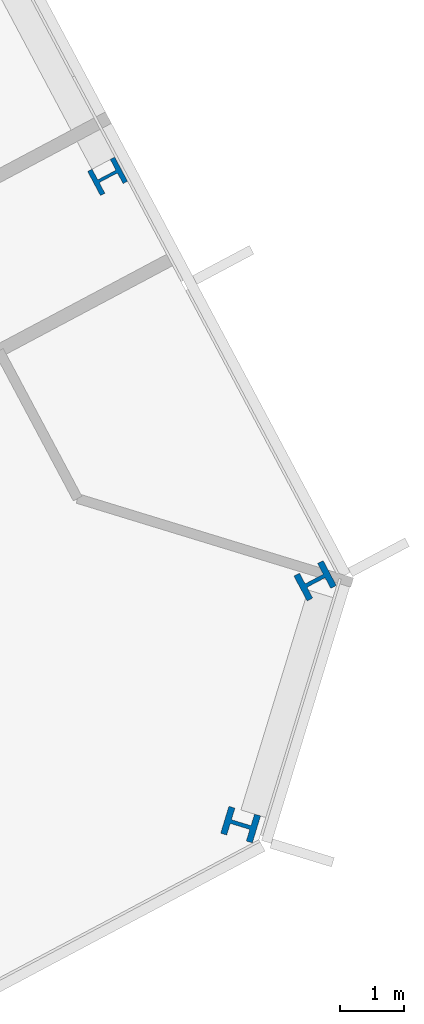
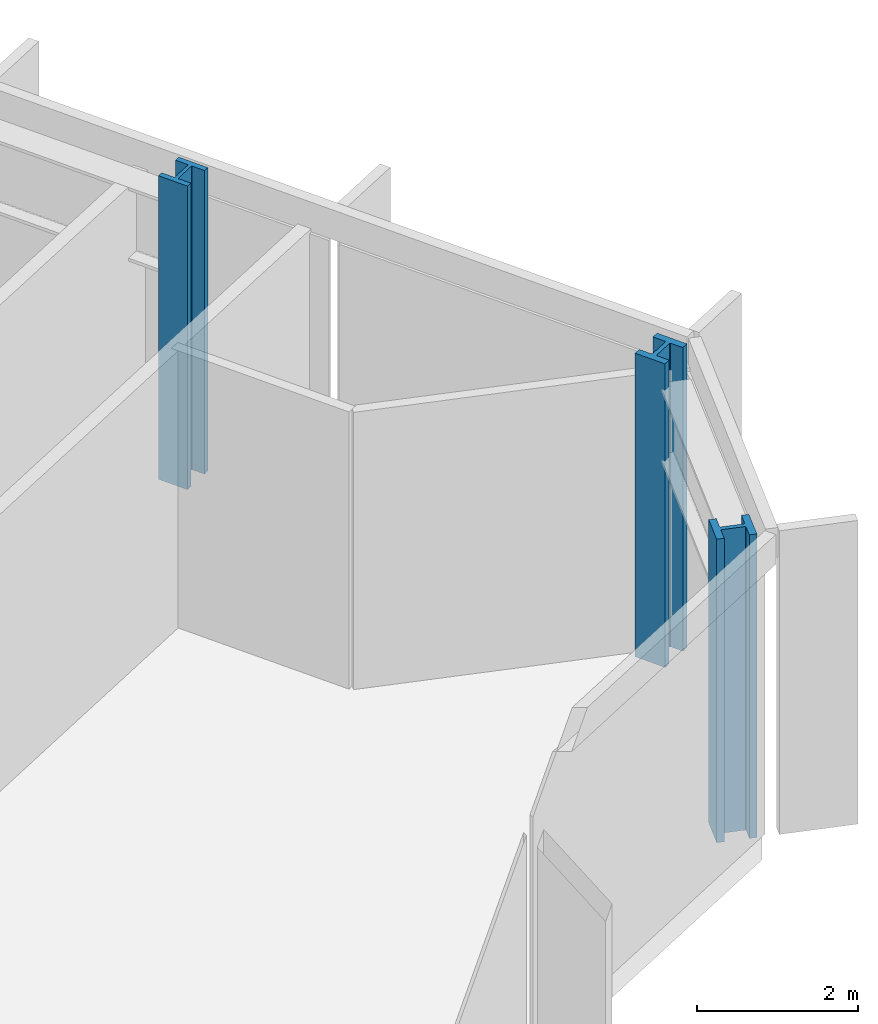
# One storey, part 6 of 32: 3 columns.
"""IFC4 building model written with IfcOpenShell, lengths in metres."""

from ifc_helpers import new_model, si_unit, direction, frame, origin, origin_2d, place, context, subcontext, project, spatial, i_section, extrude, material, material_profile, profile_set, type_object, element, save


model = new_model("IFC4")

# Units and contexts
model_context = context("Model", 3, precision=1e-05, world=origin(), true_north=direction((0.0, 1.0)))
body_context = subcontext(model_context, "Body", "Model", "MODEL_VIEW")
ifc_project = project(units=[si_unit("LENGTHUNIT", "METRE"), si_unit("AREAUNIT", "SQUARE_METRE"), si_unit("VOLUMEUNIT", "CUBIC_METRE"), si_unit("PLANEANGLEUNIT", "RADIAN"), si_unit("MASSUNIT", "GRAM", prefix="KILO")], contexts=[model_context])

# Site, building, storey
site_placement = place(None, origin())
site = spatial("IfcSite", under=ifc_project, at=site_placement, CompositionType="ELEMENT")
building_placement = place(site_placement, origin())
building = spatial("IfcBuilding", under=site, at=building_placement, Name="Cormorant Relay Tower", CompositionType="ELEMENT")
storey_placement = place(building_placement, frame((0.0, 0.0, 66.199951171875)))
storey = spatial("IfcBuildingStorey", under=building, at=storey_placement, Name="L12", CompositionType="ELEMENT", Elevation=66.199951171875)

# Columns
ifc_material_1 = material(Name="Steel ASTM A992 (Fy 345 MPa)", Category="steel")
ifc_material_profile_1 = material_profile(ifc_material_1, i_section(OverallWidth=0.42431640625, OverallDepth=0.47509765625, WebThickness=0.0478515625, FlangeThickness=0.0771484375, FilletRadius=0.014892578125, at=origin_2d()), Name="W360x634")
ifc_profile_set_1 = profile_set([ifc_material_profile_1], Name="Steel ASTM A992 (Fy 345 MPa)")
column_type_1 = type_object("IfcColumnType", Name="Column W360x634", PredefinedType="COLUMN", material=ifc_profile_set_1)
column_placement = place(storey_placement, frame((68.430908203125, 24.153076171875, 0.0), z_axis=(0.0, 0.0, 1.0), x_axis=(-0.469471562786, 0.882947592859, 0.0)))
element("IfcColumn", 1, at=column_placement, inside=storey, type_object=column_type_1, Name="Column L12-033", PredefinedType="COLUMN", context=body_context, shape_type="SweptSolid", body=[
    extrude(i_section(OverallWidth=0.42431640625, OverallDepth=0.47509765625, WebThickness=0.0478515625, FlangeThickness=0.0771484375, FilletRadius=0.014892578125, at=origin_2d()), origin(), (0.0, 0.0, 1.0), 4.60009765625),
])
ifc_material_2 = material(Name="Steel ASTM A992 (Fy 345 MPa)", Category="steel")
ifc_material_profile_2 = material_profile(ifc_material_2, i_section(OverallWidth=0.43701171875, OverallDepth=0.51318359375, WebThickness=0.060546875, FlangeThickness=0.096923828125, FilletRadius=0.015380859375, at=origin_2d()), Name="W360x818")
ifc_profile_set_2 = profile_set([ifc_material_profile_2], Name="Steel ASTM A992 (Fy 345 MPa)")
column_type_2 = type_object("IfcColumnType", Name="Column W360x818", PredefinedType="COLUMN", material=ifc_profile_set_2)
for number, where, z_axis, x_axis, name in (
    (2, (70.4970703125, 14.0869140625, 0.0), (0.0, 0.0, 1.0), (0.292371704723, 0.956304755963, 0.0), "Column L12-026"),
    (3, (71.654052734375, 17.873046875, 0.0), (0.0, 0.0, 1.0), (-0.469471562786, 0.882947592859, 0.0), "Column L12-028"),
):
    element("IfcColumn", number, at=place(storey_placement, frame(where, z_axis=z_axis, x_axis=x_axis)), inside=storey, type_object=column_type_2, Name=name, PredefinedType="COLUMN", context=body_context, shape_type="SweptSolid", body=[
        extrude(i_section(OverallWidth=0.43701171875, OverallDepth=0.51318359375, WebThickness=0.060546875, FlangeThickness=0.096923828125, FilletRadius=0.015380859375, at=origin_2d()), origin(), (0.0, 0.0, 1.0), 4.60009765625),
    ])

save(model, "model.ifc")
